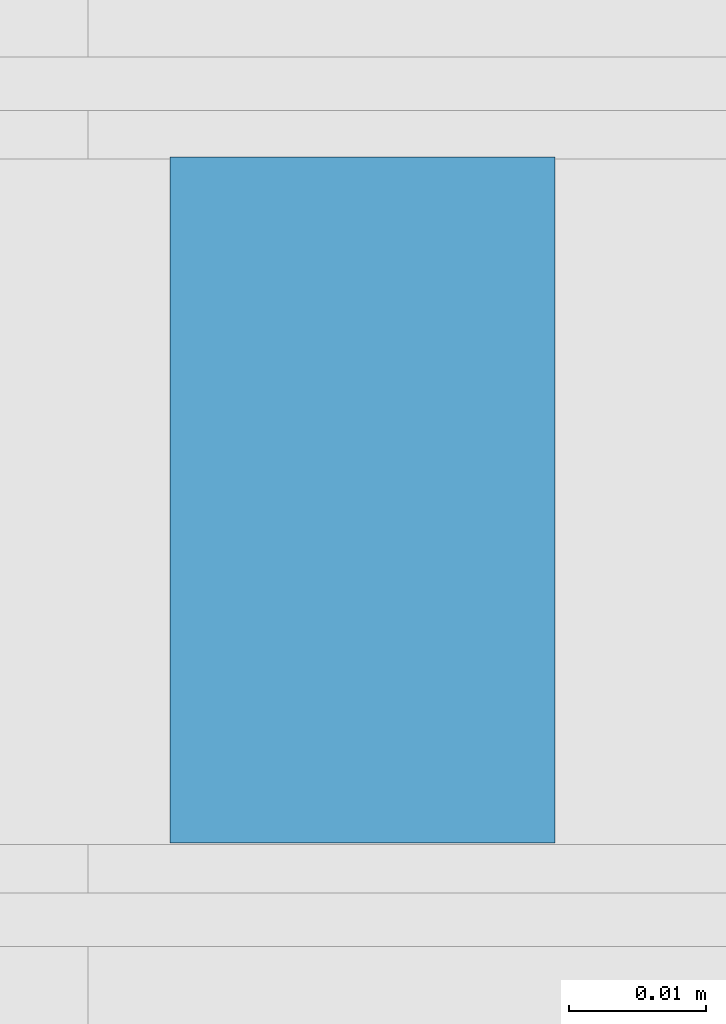
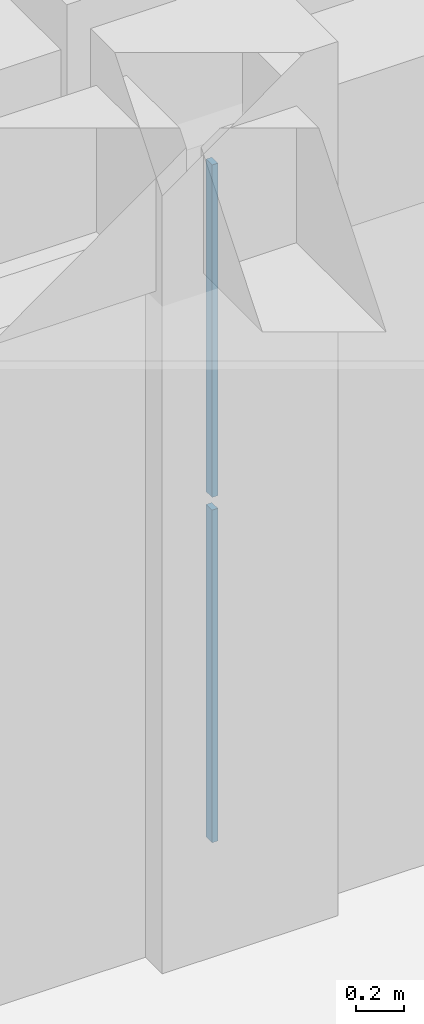
# One storey, part 92 of 129: 2 plates, 1 element without a shape of its own.
"""IFC4 building model written with IfcOpenShell, lengths in metres."""

from ifc_helpers import new_model, si_unit, direction, frame, origin, origin_2d, place, context, subcontext, project, spatial, rectangle, extrude, material, layer, layer_set, type_object, element, aggregate, save


model = new_model("IFC4")

# Units and contexts
model_context = context("Model", 3, precision=1e-05, world=origin(), true_north=direction((0.0, 1.0)))
body_context = subcontext(model_context, "Body", "Model", "MODEL_VIEW")
ifc_project = project(units=[si_unit("LENGTHUNIT", "METRE"), si_unit("AREAUNIT", "SQUARE_METRE"), si_unit("VOLUMEUNIT", "CUBIC_METRE"), si_unit("PLANEANGLEUNIT", "RADIAN"), si_unit("MASSUNIT", "GRAM", prefix="KILO")], contexts=[model_context])

# Site, building, storey
site_placement = place(None, origin())
site = spatial("IfcSite", under=ifc_project, at=site_placement, CompositionType="ELEMENT")
building_placement = place(site_placement, origin())
building = spatial("IfcBuilding", under=site, at=building_placement, Name="Xazarin Passage Department Store", CompositionType="ELEMENT")
storey_placement = place(building_placement, frame((0.0, 0.0, 9.89990234375)))
storey = spatial("IfcBuildingStorey", under=building, at=storey_placement, Name="L02", CompositionType="ELEMENT", Elevation=9.89990234375)

# Curtain wall, plates
ifc_material_1 = material(Name="Bronze anodised aluminium", Category="aluminium")
ifc_layer_1 = layer(ifc_material_1, 0.14990234375)
ifc_layer_set_1 = layer_set([ifc_layer_1], Name="Bronze anodised aluminium")
curtain_wall_type = type_object("IfcCurtainWallType", Name="ARC-CW-BRG1", PredefinedType="NOTDEFINED", material=ifc_layer_set_1)
curtain_wall_placement = place(storey_placement, origin())
curtain_wall = element("IfcCurtainWall", 1, at=curtain_wall_placement, inside=storey, type_object=curtain_wall_type, Name="L02 BR-V2S-V2N Bridge Curtain Wall 1", PredefinedType="NOTDEFINED")
ifc_material_2 = material(Name="Low-E laminated safety glass", Category="glass")
ifc_layer_2 = layer(ifc_material_2, 0.028076171875)
ifc_layer_set_2 = layer_set([ifc_layer_2], Name="Low-E laminated safety glass")
plate_type = type_object("IfcPlateType", Name="ARC-CWP-GLZ28", PredefinedType="CURTAIN_PANEL", material=ifc_layer_set_2)
plate_1_placement = place(storey_placement, frame((76.6201171875, 50.800048828125, 0.06494140625), z_axis=(0.0, 0.0, 1.0), x_axis=(0.0, 1.0, 0.0)))
plate_1 = element("IfcPlate", 2, at=plate_1_placement, type_object=plate_type, Name="CW7 panel 1.1", PredefinedType="CURTAIN_PANEL", context=body_context, shape_type="SweptSolid", body=[
    extrude(rectangle(XDim=0.050048828125, YDim=0.028076171875, at=origin_2d()), origin(), (0.0, 0.0, 1.0), 1.702392578125),
])
plate_2_placement = place(storey_placement, frame((76.6201171875, 50.800048828125, 1.83251953125), z_axis=(0.0, 0.0, 1.0), x_axis=(0.0, 1.0, 0.0)))
plate_2 = element("IfcPlate", 3, at=plate_2_placement, type_object=plate_type, Name="CW7 panel 1.2", PredefinedType="CURTAIN_PANEL", context=body_context, shape_type="SweptSolid", body=[
    extrude(rectangle(XDim=0.050048828125, YDim=0.028076171875, at=origin_2d()), origin(), (0.0, 0.0, 1.0), 1.702392578125),
])
aggregate(curtain_wall, [plate_1, plate_2])

save(model, "model.ifc")
